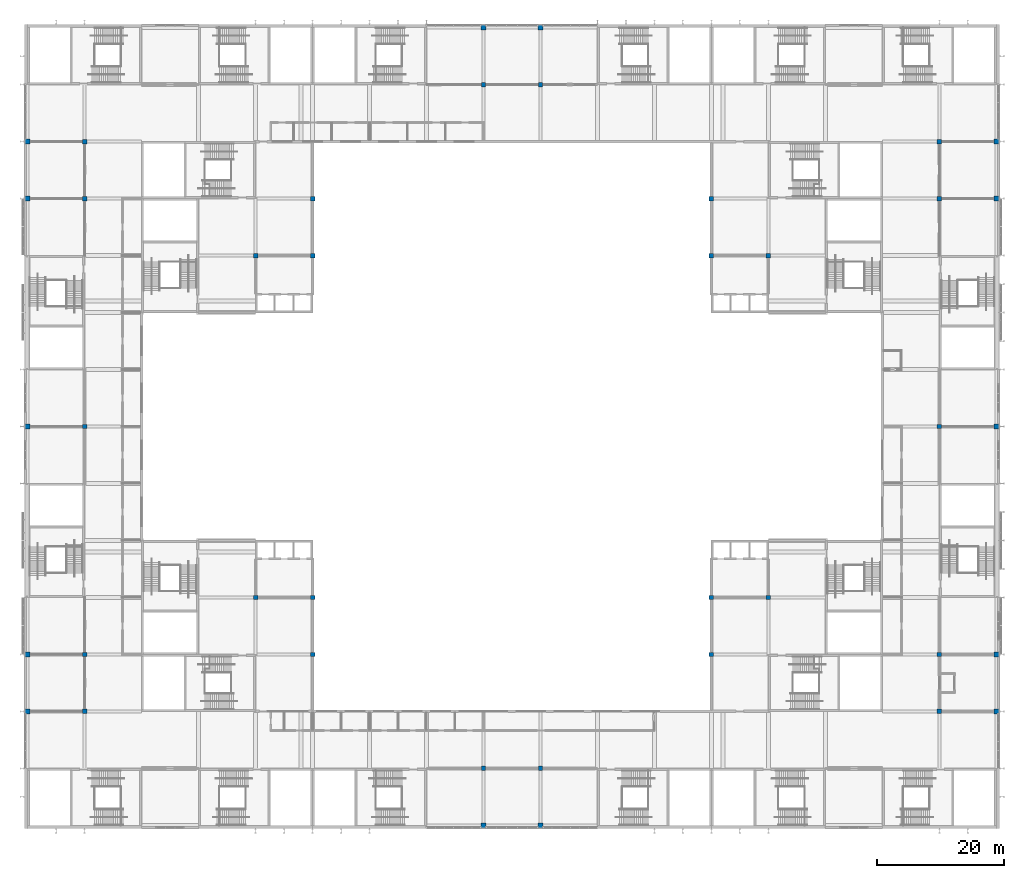
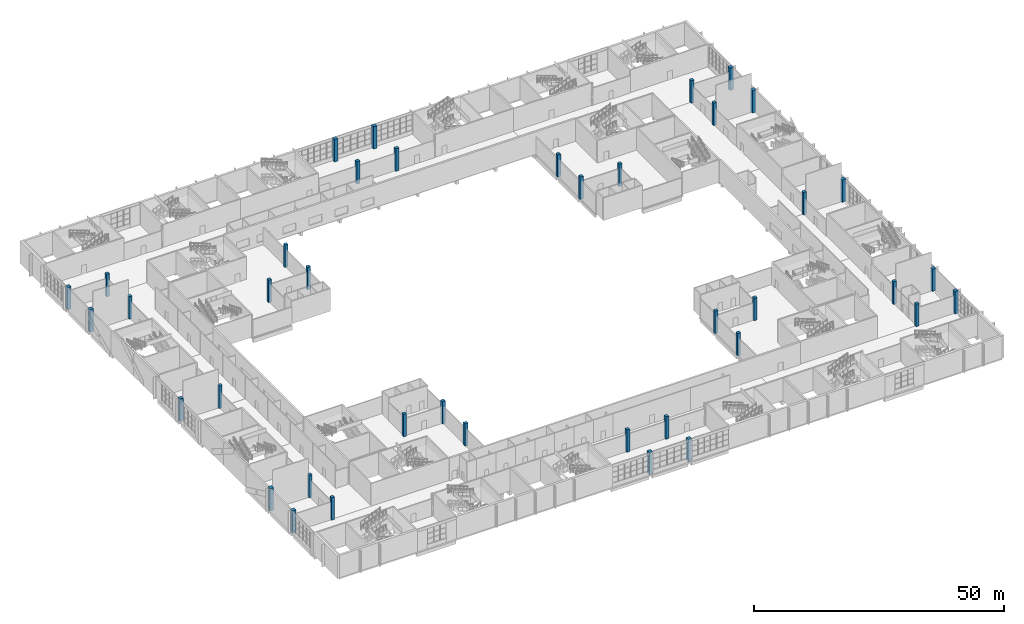
# One storey, part 1 of 84: 40 columns.
"""IFC4 building model written with IfcOpenShell, lengths in metres."""

from ifc_helpers import new_model, si_unit, direction, frame, origin, origin_2d, place, context, subcontext, project, spatial, rectangle, extrude, material, material_profile, profile_set, type_object, element, save


model = new_model("IFC4")

# Units and contexts
model_context = context("Model", 3, precision=1e-05, world=origin(), true_north=direction((0.0, 1.0)))
body_context = subcontext(model_context, "Body", "Model", "MODEL_VIEW")
ifc_project = project(units=[si_unit("LENGTHUNIT", "METRE"), si_unit("AREAUNIT", "SQUARE_METRE"), si_unit("VOLUMEUNIT", "CUBIC_METRE"), si_unit("PLANEANGLEUNIT", "RADIAN"), si_unit("MASSUNIT", "GRAM", prefix="KILO")], contexts=[model_context])

# Site, building, storey
site_placement = place(None, origin())
site = spatial("IfcSite", under=ifc_project, at=site_placement, CompositionType="ELEMENT")
building_placement = place(site_placement, origin())
building = spatial("IfcBuilding", under=site, at=building_placement, Name="Silverbay Arena", CompositionType="ELEMENT")
storey_placement = place(building_placement, frame((0.0, 0.0, 28.0)))
storey = spatial("IfcBuildingStorey", under=building, at=storey_placement, Name="L04", CompositionType="ELEMENT", Elevation=28.0)

# Columns
ifc_material_1 = material(Name="Concrete Grade C45", Category="concrete")
ifc_material_profile_1 = material_profile(ifc_material_1, rectangle(XDim=0.699951171875, YDim=0.699951171875, at=origin_2d()), Name="RC 700x700")
ifc_profile_set_1 = profile_set([ifc_material_profile_1], Name="Concrete Grade C45")
column_type_1 = type_object("IfcColumnType", Name="RC column 700x700", PredefinedType="COLUMN", material=ifc_profile_set_1)
for number, where, z_axis, x_axis, name in (
    (1, (126.0, 27.0, 0.0), (0.0, 0.0, 1.0), (1.0, 0.0, 0.0), "Column 15/D L04"),
    (2, (126.0, 135.0, 0.0), (0.0, 0.0, 1.0), (1.0, 0.0, 0.0), "Column 15/R L04"),
    (3, (135.0, 27.0, 0.0), (0.0, 0.0, 1.0), (1.0, 0.0, 0.0), "Column 16/D L04"),
    (4, (135.0, 135.0, 0.0), (0.0, 0.0, 1.0), (1.0, 0.0, 0.0), "Column 16/R L04"),
    (5, (63.0, 36.0, 0.0), (0.0, 0.0, 1.0), (1.0, 0.0, 0.0), "Column 8/E L04"),
    (6, (198.0, 36.0, 0.0), (0.0, 0.0, 1.0), (1.0, 0.0, 0.0), "Column 23/E L04"),
    (7, (63.0, 45.0, 0.0), (0.0, 0.0, 1.0), (1.0, 0.0, 0.0), "Column 8/F L04"),
    (8, (198.0, 45.0, 0.0), (0.0, 0.0, 1.0), (1.0, 0.0, 0.0), "Column 23/F L04"),
    (9, (63.0, 81.0, 0.0), (0.0, 0.0, 1.0), (1.0, 0.0, 0.0), "Column 8/K L04"),
    (10, (198.0, 81.0, 0.0), (0.0, 0.0, 1.0), (1.0, 0.0, 0.0), "Column 23/K L04"),
    (11, (63.0, 117.0, 0.0), (0.0, 0.0, 1.0), (1.0, 0.0, 0.0), "Column 8/P L04"),
    (12, (198.0, 117.0, 0.0), (0.0, 0.0, 1.0), (1.0, 0.0, 0.0), "Column 23/P L04"),
    (13, (63.0, 126.0, 0.0), (0.0, 0.0, 1.0), (1.0, 0.0, 0.0), "Column 8/Q L04"),
    (14, (198.0, 126.0, 0.0), (0.0, 0.0, 1.0), (1.0, 0.0, 0.0), "Column 23/Q L04"),
    (15, (90.0, 54.0, 0.0), (0.0, 0.0, 1.0), (1.0, 0.0, 0.0), "Column 11/G L04"),
    (16, (99.0, 45.0, 0.0), (0.0, 0.0, 1.0), (1.0, 0.0, 0.0), "Column 12/F L04"),
    (17, (99.0, 54.0, 0.0), (0.0, 0.0, 1.0), (1.0, 0.0, 0.0), "Column 12/G L04"),
    (18, (162.0, 45.0, 0.0), (0.0, 0.0, 1.0), (1.0, 0.0, 0.0), "Column 19/F L04"),
    (19, (162.0, 54.0, 0.0), (0.0, 0.0, 1.0), (1.0, 0.0, 0.0), "Column 19/G L04"),
    (20, (171.0, 54.0, 0.0), (0.0, 0.0, 1.0), (1.0, 0.0, 0.0), "Column 20/G L04"),
    (21, (90.0, 108.0, 0.0), (0.0, 0.0, 1.0), (1.0, 0.0, 0.0), "Column 11/N L04"),
    (22, (99.0, 108.0, 0.0), (0.0, 0.0, 1.0), (1.0, 0.0, 0.0), "Column 12/N L04"),
    (23, (99.0, 117.0, 0.0), (0.0, 0.0, 1.0), (1.0, 0.0, 0.0), "Column 12/P L04"),
    (24, (162.0, 108.0, 0.0), (0.0, 0.0, 1.0), (1.0, 0.0, 0.0), "Column 19/N L04"),
    (25, (162.0, 117.0, 0.0), (0.0, 0.0, 1.0), (1.0, 0.0, 0.0), "Column 19/P L04"),
    (26, (171.0, 108.0, 0.0), (0.0, 0.0, 1.0), (1.0, 0.0, 0.0), "Column 20/N L04"),
):
    element("IfcColumn", number, at=place(storey_placement, frame(where, z_axis=z_axis, x_axis=x_axis)), inside=storey, type_object=column_type_1, Name=name, PredefinedType="COLUMN", context=body_context, shape_type="SweptSolid", body=[
        extrude(rectangle(XDim=0.699951171875, YDim=0.699951171875, at=origin_2d()), origin(), (0.0, 0.0, 1.0), 5.5),
    ])
ifc_material_2 = material(Name="Concrete Grade C45", Category="concrete")
ifc_material_profile_2 = material_profile(ifc_material_2, rectangle(XDim=0.800048828125, YDim=0.800048828125, at=origin_2d()), Name="RC 800x800")
ifc_profile_set_2 = profile_set([ifc_material_profile_2], Name="Concrete Grade C45")
column_type_2 = type_object("IfcColumnType", Name="RC column 800x800", PredefinedType="COLUMN", material=ifc_profile_set_2)
for number, where, z_axis, x_axis, name in (
    (27, (126.0, 18.0, 0.0), (0.0, 0.0, 1.0), (1.0, 0.0, 0.0), "Column 15/C L04"),
    (28, (126.0, 144.0, 0.0), (0.0, 0.0, 1.0), (1.0, 0.0, 0.0), "Column 15/S L04"),
    (29, (135.0, 18.0, 0.0), (0.0, 0.0, 1.0), (1.0, 0.0, 0.0), "Column 16/C L04"),
    (30, (135.0, 144.0, 0.0), (0.0, 0.0, 1.0), (1.0, 0.0, 0.0), "Column 16/S L04"),
    (31, (54.0, 36.0, 0.0), (0.0, 0.0, 1.0), (1.0, 0.0, 0.0), "Column 7/E L04"),
    (32, (207.0, 36.0, 0.0), (0.0, 0.0, 1.0), (1.0, 0.0, 0.0), "Column 24/E L04"),
    (33, (54.0, 45.0, 0.0), (0.0, 0.0, 1.0), (1.0, 0.0, 0.0), "Column 7/F L04"),
    (34, (207.0, 45.0, 0.0), (0.0, 0.0, 1.0), (1.0, 0.0, 0.0), "Column 24/F L04"),
    (35, (54.0, 81.0, 0.0), (0.0, 0.0, 1.0), (1.0, 0.0, 0.0), "Column 7/K L04"),
    (36, (207.0, 81.0, 0.0), (0.0, 0.0, 1.0), (1.0, 0.0, 0.0), "Column 24/K L04"),
    (37, (54.0, 117.0, 0.0), (0.0, 0.0, 1.0), (1.0, 0.0, 0.0), "Column 7/P L04"),
    (38, (207.0, 117.0, 0.0), (0.0, 0.0, 1.0), (1.0, 0.0, 0.0), "Column 24/P L04"),
    (39, (54.0, 126.0, 0.0), (0.0, 0.0, 1.0), (1.0, 0.0, 0.0), "Column 7/Q L04"),
    (40, (207.0, 126.0, 0.0), (0.0, 0.0, 1.0), (1.0, 0.0, 0.0), "Column 24/Q L04"),
):
    element("IfcColumn", number, at=place(storey_placement, frame(where, z_axis=z_axis, x_axis=x_axis)), inside=storey, type_object=column_type_2, Name=name, PredefinedType="COLUMN", context=body_context, shape_type="SweptSolid", body=[
        extrude(rectangle(XDim=0.800048828125, YDim=0.800048828125, at=origin_2d()), origin(), (0.0, 0.0, 1.0), 5.5),
    ])

save(model, "model.ifc")
